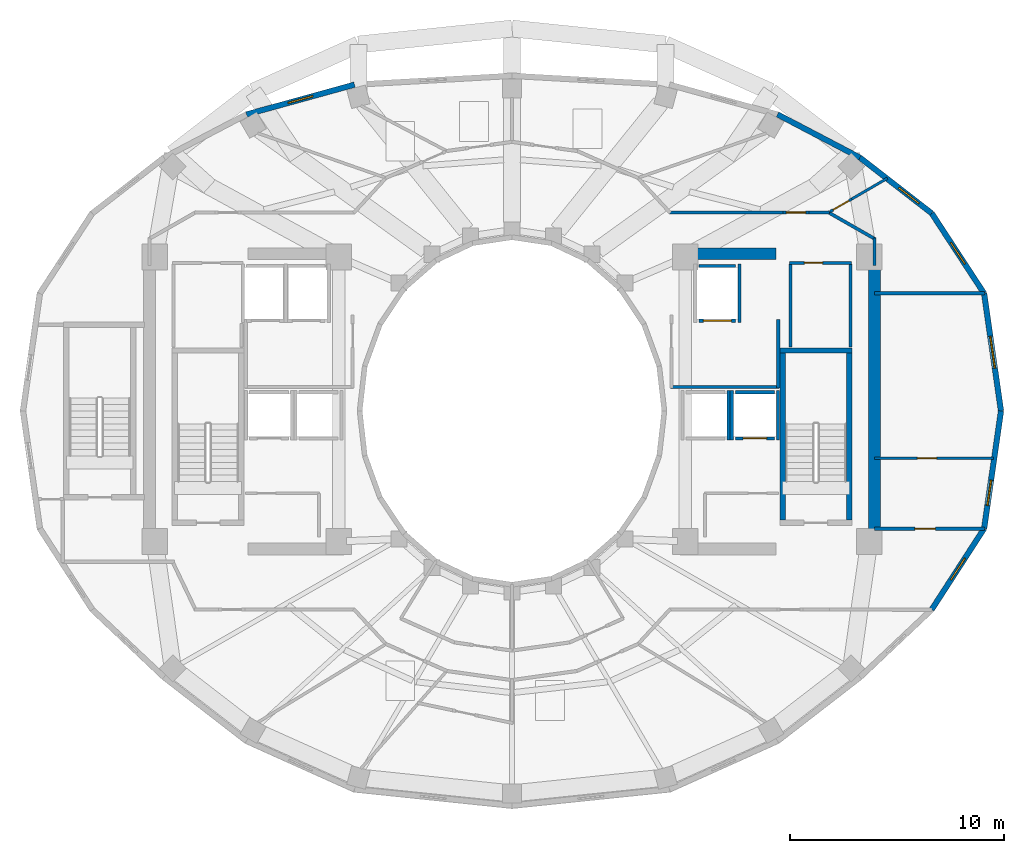
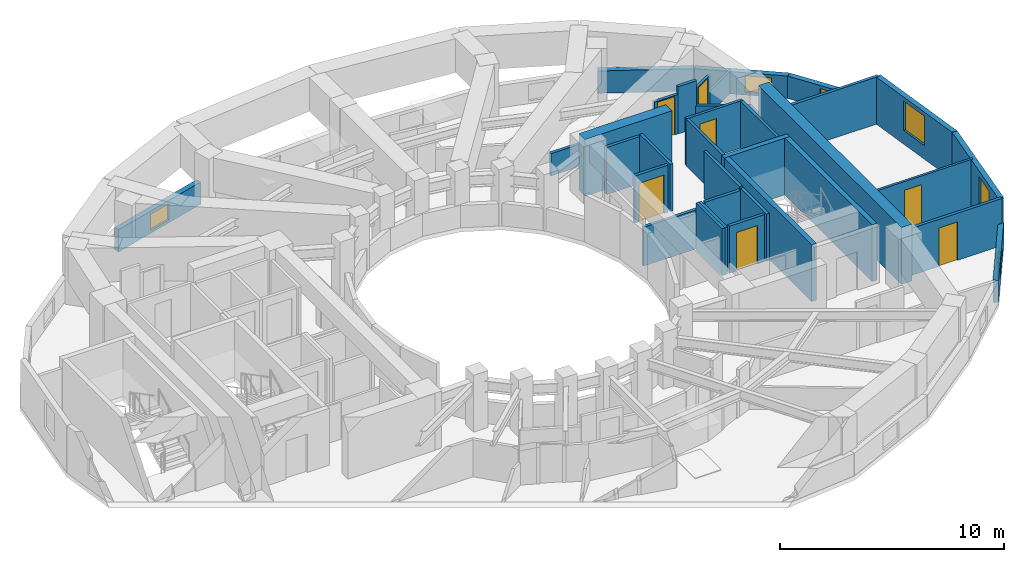
# One storey, part 6 of 9: 35 walls, 7 doors, 6 windows, 13 openings.
"""IFC4 building model written with IfcOpenShell, lengths in metres."""

from ifc_helpers import new_model, si_unit, direction, frame, frame_2d, origin, place, context, subcontext, project, spatial, rectangle, extrude, material, layer, layer_set, type_object, element, fill, save


model = new_model("IFC4")

# Units and contexts
model_context = context("Model", 3, precision=1e-05, world=origin(), true_north=direction((0.0, 1.0)))
body_context = subcontext(model_context, "Body", "Model", "MODEL_VIEW")
ifc_project = project(units=[si_unit("LENGTHUNIT", "METRE"), si_unit("AREAUNIT", "SQUARE_METRE"), si_unit("VOLUMEUNIT", "CUBIC_METRE"), si_unit("PLANEANGLEUNIT", "RADIAN"), si_unit("MASSUNIT", "GRAM", prefix="KILO")], contexts=[model_context])

# Site, building, storey
site_placement = place(None, origin())
site = spatial("IfcSite", under=ifc_project, at=site_placement, CompositionType="ELEMENT")
building_placement = place(site_placement, origin())
building = spatial("IfcBuilding", under=site, at=building_placement, Name="Solvane Sanctuary Tower", CompositionType="ELEMENT")
storey_placement = place(building_placement, frame((0.0, 0.0, 177.699951171875)))
storey = spatial("IfcBuildingStorey", under=building, at=storey_placement, Name="L54", CompositionType="ELEMENT", Elevation=177.699951171875)

# Walls
ifc_material_1 = material(Name="Concrete C50/60", Category="concrete")
ifc_layer_1 = layer(ifc_material_1, 0.550048828125, Name="Concrete C50/60")
ifc_layer_set_1 = layer_set([ifc_layer_1], Name="Concrete C50/60")
wall_type_1 = type_object("IfcWallType", Name="Wall W-CORE-550", PredefinedType="SHEAR", material=ifc_layer_set_1)
wall_1_placement = place(storey_placement, frame((48.949951171875, 17.050048828125, 0.0), z_axis=(0.0, 0.0, 1.0), x_axis=(0.0, 1.0, 0.0)))
element("IfcWall", 1, at=wall_1_placement, inside=storey, type_object=wall_type_1, Name="L54 Core Shear Wall EC-E", PredefinedType="SHEAR", context=body_context, shape_type="SweptSolid", body=[
    extrude(rectangle(XDim=12.800048828125, YDim=0.550048828125, at=frame_2d((6.39990234375, 0.0))), origin(), (0.0, 0.0, 1.0), 3.10009765625),
])
wall_2_placement = place(storey_placement, frame((39.85009765625, 30.35009765625, 0.0), z_axis=(0.0, 0.0, 1.0), x_axis=(1.0, 0.0, 0.0)))
element("IfcWall", 2, at=wall_2_placement, inside=storey, type_object=wall_type_1, Name="L54 Core Shear Wall EC-N", PredefinedType="SHEAR", context=body_context, shape_type="SweptSolid", body=[
    extrude(rectangle(XDim=4.5, YDim=0.550048828125, at=frame_2d((2.25, 0.0))), origin(), (0.0, 0.0, 1.0), 3.10009765625),
])
ifc_material_2 = material(Name="Acoustic Gypsum Partition Board")
ifc_layer_2 = layer(ifc_material_2, 0.14990234375, Name="Acoustic Gypsum Partition Board")
ifc_layer_set_2 = layer_set([ifc_layer_2], Name="Acoustic Gypsum Partition Board")
wall_type_2 = type_object("IfcWallType", Name="Wall W-CORR-150", PredefinedType="PARTITIONING", material=ifc_layer_set_2)
wall_3_placement = place(storey_placement, frame((39.39990234375, 24.1201171875, 0.0), z_axis=(0.0, 0.0, 1.0), x_axis=(1.0, 0.0, 0.0)))
element("IfcWall", 3, at=wall_3_placement, inside=storey, type_object=wall_type_2, Name="L54 East Firefighting Lobby South Wall", PredefinedType="PARTITIONING", context=body_context, shape_type="SweptSolid", body=[
    extrude(rectangle(XDim=5.080078125, YDim=0.14990234375, at=frame_2d((2.5400390625, 0.0))), origin(), (0.0, 0.0, 1.0), 2.1201171875),
])
wall_4_placement = place(storey_placement, frame((44.449951171875, 24.080078125, 0.0), z_axis=(0.0, 0.0, 1.0), x_axis=(0.0, 1.0, 0.0)))
element("IfcWall", 4, at=wall_4_placement, inside=storey, type_object=wall_type_2, Name="L54 East Firefighting Lobby East Wall", PredefinedType="PARTITIONING", context=body_context, shape_type="SweptSolid", body=[
    extrude(rectangle(XDim=3.199951171875, YDim=0.14990234375, at=frame_2d((1.60009765625, 0.0))), origin(), (0.0, 0.0, 1.0), 2.574951171875),
])

# Wall, opening, door
wall_5_placement = place(storey_placement, frame((48.949951171875, 17.4970703125, 0.0), z_axis=(0.0, 0.0, 1.0), x_axis=(1.0, 0.0, 0.0)))
wall_5 = element("IfcWall", 5, at=wall_5_placement, inside=storey, type_object=wall_type_2, Name="L54 East Shoulder South Wall", PredefinedType="PARTITIONING", context=body_context, shape_type="SweptSolid", body=[
    extrude(rectangle(XDim=5.14013671875, YDim=0.14990234375, at=frame_2d((2.570068359375, 0.0))), origin(), (0.0, 0.0, 1.0), 2.574951171875),
])
opening_1_placement = place(wall_5_placement, frame((1.888671875, 0.0, 0.0)))
opening_1 = element("IfcOpeningElement", 6, at=opening_1_placement, cuts=wall_5, Name="Opening D-L54-10", PredefinedType="OPENING", context=body_context, shape_type="SweptSolid", body=[
    extrude(rectangle(XDim=0.949951171875, YDim=2.10009765625, at=frame_2d((0.47509765625, 1.050048828125))), frame((0.0, 0.0849609375, 0.0), z_axis=(0.0, -1.0, 0.0), x_axis=(1.0, 0.0, 0.0)), (0.0, 0.0, 1.0), 0.169921875),
])
ifc_material_3 = material(Name="Engineered Tropical Hardwood", Category="wood")
door_type_1 = type_object("IfcDoorType", Name="Door D-ROOM-950", OperationType="NOTDEFINED", PredefinedType="DOOR", material=ifc_material_3)
door_1_placement = place(opening_1_placement, origin())
door_1 = element("IfcDoor", 7, at=door_1_placement, inside=storey, type_object=door_type_1, Name="L54 East Shoulder South Door", OperationType="SINGLE_SWING_RIGHT", OverallHeight=2.10009765625, OverallWidth=0.949951171875, PredefinedType="DOOR", context=body_context, shape_type="SweptSolid", body=[
    extrude(rectangle(XDim=0.949951171875, YDim=2.10009765625, at=frame_2d((0.47509765625, 1.050048828125))), frame((0.0, 0.02490234375, 0.0), z_axis=(0.0, -1.0, 0.0), x_axis=(1.0, 0.0, 0.0)), (0.0, 0.0, 1.0), 0.050048828125),
])
fill(opening_1, door_1)

# Walls
wall_6_placement = place(storey_placement, frame((48.949951171875, 28.5029296875, 0.0), z_axis=(0.0, 0.0, 1.0), x_axis=(1.0, 0.0, 0.0)))
element("IfcWall", 8, at=wall_6_placement, inside=storey, type_object=wall_type_2, Name="L54 East Shoulder North Wall", PredefinedType="PARTITIONING", context=body_context, shape_type="SweptSolid", body=[
    extrude(rectangle(XDim=5.14013671875, YDim=0.14990234375, at=frame_2d((2.570068359375, 0.0))), origin(), (0.0, 0.0, 1.0), 2.574951171875),
])
wall_7_placement = place(storey_placement, frame((48.949951171875, 29.800048828125, 0.0), z_axis=(0.0, 0.0, 1.0), x_axis=(0.0, 1.0, 0.0)))
element("IfcWall", 9, at=wall_7_placement, inside=storey, type_object=wall_type_2, Name="L54 NE Corner Closer 1", PredefinedType="PARTITIONING", context=body_context, shape_type="SweptSolid", body=[
    extrude(rectangle(XDim=1.2900390625, YDim=0.14990234375, at=frame_2d((0.64501953125, 0.0))), origin(), (0.0, 0.0, 1.0), 1.219970703125),
])
wall_8_placement = place(storey_placement, frame((39.330078125, 32.280029296875, 0.0), z_axis=(0.0, 0.0, 1.0), x_axis=(1.0, 0.0, 0.0)))
element("IfcWall", 10, at=wall_8_placement, inside=storey, type_object=wall_type_2, Name="L54 NE Corner Corridor Wall", PredefinedType="PARTITIONING", context=body_context, shape_type="SweptSolid", body=[
    extrude(rectangle(XDim=5.335693359375, YDim=0.14990234375, at=frame_2d((2.66796875, 0.0))), origin(), (0.0, 0.0, 1.0), 1.219970703125),
])

# Wall, opening, door
wall_9_placement = place(storey_placement, frame((44.665771484375, 32.280029296875, 0.0), z_axis=(0.0, 0.0, 1.0), x_axis=(1.0, 0.0, 0.0)))
wall_9 = element("IfcWall", 11, at=wall_9_placement, inside=storey, type_object=wall_type_2, Name="L54 NE Corner Corridor Wall", PredefinedType="PARTITIONING", context=body_context, shape_type="SweptSolid", body=[
    extrude(rectangle(XDim=1.219970703125, YDim=0.14990234375, at=frame_2d((0.60986328125, 0.0))), origin(), (0.0, 0.0, 1.0), 2.16015625),
])
opening_2_placement = place(wall_9_placement, frame((0.159912109375, 0.0, 0.0)))
opening_2 = element("IfcOpeningElement", 12, at=opening_2_placement, cuts=wall_9, Name="Opening D-L54-13", PredefinedType="OPENING", context=body_context, shape_type="SweptSolid", body=[
    extrude(rectangle(XDim=0.89990234375, YDim=2.10009765625, at=frame_2d((0.449951171875, 1.050048828125))), frame((0.0, 0.0849609375, 0.0), z_axis=(0.0, -1.0, 0.0), x_axis=(1.0, 0.0, 0.0)), (0.0, 0.0, 1.0), 0.169921875),
])
door_type_2 = type_object("IfcDoorType", Name="Door D-WET-900", OperationType="NOTDEFINED", PredefinedType="DOOR", material=ifc_material_3)
door_2_placement = place(opening_2_placement, origin())
door_2 = element("IfcDoor", 13, at=door_2_placement, inside=storey, type_object=door_type_2, Name="L54 NE Corner Salon Door", OperationType="SINGLE_SWING_LEFT", OverallHeight=2.10009765625, OverallWidth=0.89990234375, PredefinedType="DOOR", context=body_context, shape_type="SweptSolid", body=[
    extrude(rectangle(XDim=0.89990234375, YDim=2.10009765625, at=frame_2d((0.449951171875, 1.050048828125))), frame((0.0, 0.02490234375, 0.0), z_axis=(0.0, -1.0, 0.0), x_axis=(1.0, 0.0, 0.0)), (0.0, 0.0, 1.0), 0.050048828125),
])
fill(opening_2, door_2)

# Walls
wall_10_placement = place(storey_placement, frame((45.8857421875, 32.280029296875, 0.0), z_axis=(0.0, 0.0, 1.0), x_axis=(1.0, 0.0, 0.0)))
element("IfcWall", 14, at=wall_10_placement, inside=storey, type_object=wall_type_2, Name="L54 NE Corner Corridor Wall", PredefinedType="PARTITIONING", context=body_context, shape_type="SweptSolid", body=[
    extrude(rectangle(XDim=0.96435546875, YDim=0.14990234375, at=frame_2d((0.482177734375, 0.0))), origin(), (0.0, 0.0, 1.0), 2.574951171875),
])
wall_11_placement = place(storey_placement, frame((46.756591796875, 32.3046875, 0.0), z_axis=(0.0, 0.0, 1.0), x_axis=(0.867991349648, -0.496579315857, 0.0)))
element("IfcWall", 15, at=wall_11_placement, inside=storey, type_object=wall_type_2, Name="L54 NE Corner Wing Wall", PredefinedType="PARTITIONING", context=body_context, shape_type="SweptSolid", body=[
    extrude(rectangle(XDim=2.56689453125, YDim=0.14990234375, at=frame_2d((1.283447265625, 0.0))), origin(), (0.0, 0.0, 1.0), 1.219970703125),
])

# Wall, opening, window
ifc_material_4 = material(Name="Precast concrete C40/50", Category="concrete")
ifc_layer_3 = layer(ifc_material_4, 0.260009765625, Name="Precast concrete C40/50")
ifc_layer_set_3 = layer_set([ifc_layer_3], Name="Precast concrete C40/50")
wall_type_3 = type_object("IfcWallType", Name="Wall W-EXT-250", PredefinedType="STANDARD", material=ifc_layer_set_3)
wall_12_placement = place(storey_placement, frame((54.860107421875, 23.0, 0.0), z_axis=(0.0, 0.0, 1.0), x_axis=(-0.142227632286, 0.989833976288, 0.0)))
wall_12 = element("IfcWall", 16, at=wall_12_placement, inside=storey, type_object=wall_type_3, Name="L54 Ceramic-Printed Facade Wall 00", PredefinedType="STANDARD", context=body_context, shape_type="SweptSolid", body=[
    extrude(rectangle(XDim=5.552978515625, YDim=0.260009765625, at=frame_2d((2.7763671875, 0.0))), origin(), (0.0, 0.0, 1.0), 2.570068359375),
])
opening_3_placement = place(wall_12_placement, frame((2.026611328125, 0.0, 0.75)))
opening_3 = element("IfcOpeningElement", 17, at=opening_3_placement, cuts=wall_12, Name="Opening WN-OPER-1500", PredefinedType="OPENING", context=body_context, shape_type="SweptSolid", body=[
    extrude(rectangle(XDim=1.5, YDim=1.60009765625, at=frame_2d((0.75, 0.800048828125))), frame((0.0, 0.139892578125, 0.0), z_axis=(0.0, -1.0, 0.0), x_axis=(1.0, 0.0, 0.0)), (0.0, 0.0, 1.0), 0.280029296875),
])
ifc_material_5 = material(Name="Dark Ceramic-Fritted Low-E Glass", Category="glass")
window_type_1 = type_object("IfcWindowType", Name="Window WN-OPER-1500", PartitioningType="SINGLE_PANEL", PredefinedType="WINDOW", material=ifc_material_5)
window_1_placement = place(opening_3_placement, origin())
window_1 = element("IfcWindow", 18, at=window_1_placement, inside=storey, type_object=window_type_1, Name="L54 Operable Facade Window 00", OverallHeight=1.60009765625, OverallWidth=1.5, PartitioningType="SINGLE_PANEL", PredefinedType="WINDOW", context=body_context, shape_type="SweptSolid", body=[
    extrude(rectangle(XDim=1.5, YDim=1.60009765625, at=frame_2d((0.75, 0.800048828125))), frame((0.0, 0.030029296875, 0.0), z_axis=(0.0, -1.0, 0.0), x_axis=(1.0, 0.0, 0.0)), (0.0, 0.0, 1.0), 0.06005859375),
])
fill(opening_3, window_1)

wall_13_placement = place(storey_placement, frame((54.0703125, 28.49658203125, 0.0), z_axis=(0.0, 0.0, 1.0), x_axis=(-0.547456494366, 0.836834145322, 0.0)))
wall_13 = element("IfcWall", 19, at=wall_13_placement, inside=storey, type_object=wall_type_3, Name="L54 Ceramic-Printed Facade Wall 01", PredefinedType="STANDARD", context=body_context, shape_type="SweptSolid", body=[
    extrude(rectangle(XDim=4.477294921875, YDim=0.260009765625, at=frame_2d((2.23876953125, 0.0))), origin(), (0.0, 0.0, 1.0), 1.219970703125),
])
opening_4_placement = place(wall_13_placement, frame((1.638671875, 0.0, 0.14990234375)))
opening_4 = element("IfcOpeningElement", 20, at=opening_4_placement, cuts=wall_13, Name="Opening WN-OPER-1200", PredefinedType="OPENING", context=body_context, shape_type="SweptSolid", body=[
    extrude(rectangle(XDim=1.199951171875, YDim=0.89990234375, at=frame_2d((0.60009765625, 0.449951171875))), frame((0.0, 0.139892578125, 0.0), z_axis=(0.0, -1.0, 0.0), x_axis=(1.0, 0.0, 0.0)), (0.0, 0.0, 1.0), 0.280029296875),
])
window_type_2 = type_object("IfcWindowType", Name="Window WN-OPER-1200", PartitioningType="SINGLE_PANEL", PredefinedType="WINDOW", material=ifc_material_5)
window_2_placement = place(opening_4_placement, origin())
window_2 = element("IfcWindow", 21, at=window_2_placement, inside=storey, type_object=window_type_2, Name="L54 Operable Facade Window 01", OverallHeight=0.89990234375, OverallWidth=1.199951171875, PartitioningType="SINGLE_PANEL", PredefinedType="WINDOW", context=body_context, shape_type="SweptSolid", body=[
    extrude(rectangle(XDim=1.199951171875, YDim=0.89990234375, at=frame_2d((0.60009765625, 0.449951171875))), frame((0.0, 0.030029296875, 0.0), z_axis=(0.0, -1.0, 0.0), x_axis=(1.0, 0.0, 0.0)), (0.0, 0.0, 1.0), 0.06005859375),
])
fill(opening_4, window_2)

wall_14_placement = place(storey_placement, frame((51.619140625, 32.243408203125, 0.0), z_axis=(0.0, 0.0, 1.0), x_axis=(-0.790185650662, 0.612867552973, 0.0)))
wall_14 = element("IfcWall", 22, at=wall_14_placement, inside=storey, type_object=wall_type_3, Name="L54 Ceramic-Printed Facade Wall 02", PredefinedType="STANDARD", context=body_context, shape_type="SweptSolid", body=[
    extrude(rectangle(XDim=4.2392578125, YDim=0.260009765625, at=frame_2d((2.11962890625, 0.0))), origin(), (0.0, 0.0, 1.0), 1.219970703125),
])
opening_5_placement = place(wall_14_placement, frame((0.748779296875, 0.0, 0.14990234375)))
opening_5 = element("IfcOpeningElement", 23, at=opening_5_placement, cuts=wall_14, Name="Opening WN-OPER-1200", PredefinedType="OPENING", context=body_context, shape_type="SweptSolid", body=[
    extrude(rectangle(XDim=1.199951171875, YDim=0.89990234375, at=frame_2d((0.60009765625, 0.449951171875))), frame((0.0, 0.139892578125, 0.0), z_axis=(0.0, -1.0, 0.0), x_axis=(1.0, 0.0, 0.0)), (0.0, 0.0, 1.0), 0.280029296875),
])
window_3_placement = place(opening_5_placement, origin())
window_3 = element("IfcWindow", 24, at=window_3_placement, inside=storey, type_object=window_type_2, Name="L54 Operable Facade Window 02", OverallHeight=0.89990234375, OverallWidth=1.199951171875, PartitioningType="SINGLE_PANEL", PredefinedType="WINDOW", context=body_context, shape_type="SweptSolid", body=[
    extrude(rectangle(XDim=1.199951171875, YDim=0.89990234375, at=frame_2d((0.60009765625, 0.449951171875))), frame((0.0, 0.030029296875, 0.0), z_axis=(0.0, -1.0, 0.0), x_axis=(1.0, 0.0, 0.0)), (0.0, 0.0, 1.0), 0.06005859375),
])
fill(opening_5, window_3)

# Wall
wall_15_placement = place(storey_placement, frame((48.269287109375, 34.841552734375, 0.0), z_axis=(0.0, 0.0, 1.0), x_axis=(-0.885660265226, 0.464333818065, 0.0)))
element("IfcWall", 25, at=wall_15_placement, inside=storey, type_object=wall_type_3, Name="L54 Ceramic-Printed Facade Wall 03", PredefinedType="STANDARD", context=body_context, shape_type="SweptSolid", body=[
    extrude(rectangle(XDim=4.35400390625, YDim=0.260009765625, at=frame_2d((2.177001953125, 0.0))), origin(), (0.0, 0.0, 1.0), 1.219970703125),
])

# Wall, opening, window
wall_16_placement = place(storey_placement, frame((24.634765625, 38.256591796875, 0.0), z_axis=(0.0, 0.0, 1.0), x_axis=(-0.963953455704, -0.26607092144, 0.0)))
wall_16 = element("IfcWall", 26, at=wall_16_placement, inside=storey, type_object=wall_type_3, Name="L54 Ceramic-Printed Facade Wall 07", PredefinedType="STANDARD", context=body_context, shape_type="SweptSolid", body=[
    extrude(rectangle(XDim=5.236572265625, YDim=0.260009765625, at=frame_2d((2.6181640625, 0.0))), origin(), (0.0, 0.0, 1.0), 1.219970703125),
])
opening_6_placement = place(wall_16_placement, frame((2.018310546875, 0.0, 0.14990234375)))
opening_6 = element("IfcOpeningElement", 27, at=opening_6_placement, cuts=wall_16, Name="Opening WN-OPER-1200", PredefinedType="OPENING", context=body_context, shape_type="SweptSolid", body=[
    extrude(rectangle(XDim=1.199951171875, YDim=0.89990234375, at=frame_2d((0.60009765625, 0.449951171875))), frame((0.0, 0.139892578125, 0.0), z_axis=(0.0, -1.0, 0.0), x_axis=(1.0, 0.0, 0.0)), (0.0, 0.0, 1.0), 0.280029296875),
])
window_4_placement = place(opening_6_placement, origin())
window_4 = element("IfcWindow", 28, at=window_4_placement, inside=storey, type_object=window_type_2, Name="L54 Operable Facade Window 07", OverallHeight=0.89990234375, OverallWidth=1.199951171875, PartitioningType="SINGLE_PANEL", PredefinedType="WINDOW", context=body_context, shape_type="SweptSolid", body=[
    extrude(rectangle(XDim=1.199951171875, YDim=0.89990234375, at=frame_2d((0.60009765625, 0.449951171875))), frame((0.0, 0.030029296875, 0.0), z_axis=(0.0, -1.0, 0.0), x_axis=(1.0, 0.0, 0.0)), (0.0, 0.0, 1.0), 0.06005859375),
])
fill(opening_6, window_4)

wall_17_placement = place(storey_placement, frame((51.619140625, 13.71630859375, 0.0), z_axis=(0.0, 0.0, 1.0), x_axis=(0.543358984534, 0.839500454989, 0.0)))
wall_17 = element("IfcWall", 29, at=wall_17_placement, inside=storey, type_object=wall_type_3, Name="L54 Ceramic-Printed Facade Wall 22", PredefinedType="STANDARD", context=body_context, shape_type="SweptSolid", body=[
    extrude(rectangle(XDim=4.51123046875, YDim=0.260009765625, at=frame_2d((2.255615234375, 0.0))), origin(), (0.0, 0.0, 1.0), 1.219970703125),
])
opening_7_placement = place(wall_17_placement, frame((1.655517578125, 0.0, 0.14990234375)))
opening_7 = element("IfcOpeningElement", 30, at=opening_7_placement, cuts=wall_17, Name="Opening WN-OPER-1200", PredefinedType="OPENING", context=body_context, shape_type="SweptSolid", body=[
    extrude(rectangle(XDim=1.199951171875, YDim=0.89990234375, at=frame_2d((0.60009765625, 0.449951171875))), frame((0.0, 0.139892578125, 0.0), z_axis=(0.0, -1.0, 0.0), x_axis=(1.0, 0.0, 0.0)), (0.0, 0.0, 1.0), 0.280029296875),
])
window_5_placement = place(opening_7_placement, origin())
window_5 = element("IfcWindow", 31, at=window_5_placement, inside=storey, type_object=window_type_2, Name="L54 Operable Facade Window 22", OverallHeight=0.89990234375, OverallWidth=1.199951171875, PartitioningType="SINGLE_PANEL", PredefinedType="WINDOW", context=body_context, shape_type="SweptSolid", body=[
    extrude(rectangle(XDim=1.199951171875, YDim=0.89990234375, at=frame_2d((0.60009765625, 0.449951171875))), frame((0.0, 0.030029296875, 0.0), z_axis=(0.0, -1.0, 0.0), x_axis=(1.0, 0.0, 0.0)), (0.0, 0.0, 1.0), 0.06005859375),
])
fill(opening_7, window_5)

wall_18_placement = place(storey_placement, frame((54.0703125, 17.50341796875, 0.0), z_axis=(0.0, 0.0, 1.0), x_axis=(0.142227632286, 0.989833976288, 0.0)))
wall_18 = element("IfcWall", 32, at=wall_18_placement, inside=storey, type_object=wall_type_3, Name="L54 Ceramic-Printed Facade Wall 23", PredefinedType="STANDARD", context=body_context, shape_type="SweptSolid", body=[
    extrude(rectangle(XDim=5.552978515625, YDim=0.260009765625, at=frame_2d((2.7763671875, 0.0))), origin(), (0.0, 0.0, 1.0), 2.570068359375),
])
opening_8_placement = place(wall_18_placement, frame((1.090087890625, 0.0, 0.75)))
opening_8 = element("IfcOpeningElement", 33, at=opening_8_placement, cuts=wall_18, Name="Opening WN-OPER-1200", PredefinedType="OPENING", context=body_context, shape_type="SweptSolid", body=[
    extrude(rectangle(XDim=1.199951171875, YDim=1.5, at=frame_2d((0.60009765625, 0.75))), frame((0.0, 0.139892578125, 0.0), z_axis=(0.0, -1.0, 0.0), x_axis=(1.0, 0.0, 0.0)), (0.0, 0.0, 1.0), 0.280029296875),
])
window_6_placement = place(opening_8_placement, origin())
window_6 = element("IfcWindow", 34, at=window_6_placement, inside=storey, type_object=window_type_2, Name="L54 Operable Facade Window 23", OverallHeight=1.5, OverallWidth=1.199951171875, PartitioningType="SINGLE_PANEL", PredefinedType="WINDOW", context=body_context, shape_type="SweptSolid", body=[
    extrude(rectangle(XDim=1.199951171875, YDim=1.5, at=frame_2d((0.60009765625, 0.75))), frame((0.0, 0.030029296875, 0.0), z_axis=(0.0, -1.0, 0.0), x_axis=(1.0, 0.0, 0.0)), (0.0, 0.0, 1.0), 0.06005859375),
])
fill(opening_8, window_6)

# Wall, opening, door
ifc_layer_4 = layer(ifc_material_2, 0.1201171875, Name="Acoustic Gypsum Partition Board")
ifc_layer_set_4 = layer_set([ifc_layer_4], Name="Acoustic Gypsum Partition Board")
wall_type_4 = type_object("IfcWallType", Name="Wall W-MOV-100", PredefinedType="MOVABLE", material=ifc_layer_set_4)
wall_19_placement = place(storey_placement, frame((48.949951171875, 20.800048828125, 0.0), z_axis=(0.0, 0.0, 1.0), x_axis=(1.0, 0.0, 0.0)))
wall_19 = element("IfcWall", 35, at=wall_19_placement, inside=storey, type_object=wall_type_4, Name="L54 East Suite Partition", PredefinedType="MOVABLE", context=body_context, shape_type="SweptSolid", body=[
    extrude(rectangle(XDim=5.55419921875, YDim=0.1201171875, at=frame_2d((2.777099609375, 0.0))), origin(), (0.0, 0.0, 1.0), 2.574951171875),
])
opening_9_placement = place(wall_19_placement, frame((2.0, 0.0, 0.0)))
opening_9 = element("IfcOpeningElement", 36, at=opening_9_placement, cuts=wall_19, Name="Opening D-L54-11", PredefinedType="OPENING", context=body_context, shape_type="SweptSolid", body=[
    extrude(rectangle(XDim=0.89990234375, YDim=2.10009765625, at=frame_2d((0.449951171875, 1.050048828125))), frame((0.0, 0.070068359375, 0.0), z_axis=(0.0, -1.0, 0.0), x_axis=(1.0, 0.0, 0.0)), (0.0, 0.0, 1.0), 0.14013671875),
])
door_3_placement = place(opening_9_placement, origin())
door_3 = element("IfcDoor", 37, at=door_3_placement, inside=storey, type_object=door_type_2, Name="L54 East Suite Internal Door", OperationType="SINGLE_SWING_LEFT", OverallHeight=2.10009765625, OverallWidth=0.89990234375, PredefinedType="DOOR", context=body_context, shape_type="SweptSolid", body=[
    extrude(rectangle(XDim=0.89990234375, YDim=2.10009765625, at=frame_2d((0.449951171875, 1.050048828125))), frame((0.0, 0.02490234375, 0.0), z_axis=(0.0, -1.0, 0.0), x_axis=(1.0, 0.0, 0.0)), (0.0, 0.0, 1.0), 0.050048828125),
])
fill(opening_9, door_3)

wall_20_placement = place(storey_placement, frame((46.872314453125, 32.322021484375, 0.0), z_axis=(0.0, 0.0, 1.0), x_axis=(0.864338442283, 0.502910585683, 0.0)))
wall_20 = element("IfcWall", 38, at=wall_20_placement, inside=storey, type_object=wall_type_4, Name="L54 NE Corner Suite Partition", PredefinedType="MOVABLE", context=body_context, shape_type="SweptSolid", body=[
    extrude(rectangle(XDim=1.169921875, YDim=0.1201171875, at=frame_2d((0.5849609375, 0.0))), origin(), (0.0, 0.0, 1.0), 2.110107421875),
])
opening_10_placement = place(wall_20_placement, frame((0.159912109375, 0.0, 0.0)))
opening_10 = element("IfcOpeningElement", 39, at=opening_10_placement, cuts=wall_20, Name="Opening D-L54-12", PredefinedType="OPENING", context=body_context, shape_type="SweptSolid", body=[
    extrude(rectangle(XDim=0.85009765625, YDim=2.050048828125, at=frame_2d((0.425048828125, 1.02490234375))), frame((0.0, 0.070068359375, 0.0), z_axis=(0.0, -1.0, 0.0), x_axis=(1.0, 0.0, 0.0)), (0.0, 0.0, 1.0), 0.14013671875),
])
ifc_material_6 = material(Name="Architectural Stainless Steel 316", Category="steel")
door_type_3 = type_object("IfcDoorType", Name="Door D-RISER", OperationType="NOTDEFINED", PredefinedType="DOOR", material=ifc_material_6)
door_4_placement = place(opening_10_placement, origin())
door_4 = element("IfcDoor", 40, at=door_4_placement, inside=storey, type_object=door_type_3, Name="L54 NE Corner Suite Door", OperationType="SINGLE_SWING_RIGHT", OverallHeight=2.050048828125, OverallWidth=0.85009765625, PredefinedType="DOOR", context=body_context, shape_type="SweptSolid", body=[
    extrude(rectangle(XDim=0.85009765625, YDim=2.050048828125, at=frame_2d((0.425048828125, 1.02490234375))), frame((0.0, 0.02490234375, 0.0), z_axis=(0.0, -1.0, 0.0), x_axis=(1.0, 0.0, 0.0)), (0.0, 0.0, 1.0), 0.050048828125),
])
fill(opening_10, door_4)

# Wall
wall_21_placement = place(storey_placement, frame((47.883544921875, 32.910400390625, 0.0), z_axis=(0.0, 0.0, 1.0), x_axis=(0.864444446654, 0.50272835473, 0.0)))
element("IfcWall", 41, at=wall_21_placement, inside=storey, type_object=wall_type_4, Name="L54 NE Corner Suite Partition", PredefinedType="MOVABLE", context=body_context, shape_type="SweptSolid", body=[
    extrude(rectangle(XDim=1.927001953125, YDim=0.1201171875, at=frame_2d((0.96337890625, 0.0))), origin(), (0.0, 0.0, 1.0), 1.219970703125),
])

# Wall, opening, door
ifc_layer_5 = layer(ifc_material_1, 0.14990234375, Name="Concrete C50/60")
ifc_layer_set_5 = layer_set([ifc_layer_5], Name="Concrete C50/60")
wall_type_5 = type_object("IfcWallType", Name="Wall W-SHAFT-150", PredefinedType="SOLIDWALL", material=ifc_layer_set_5)
wall_22_placement = place(storey_placement, frame((42.43994140625, 21.719970703125, 0.0), z_axis=(0.0, 0.0, 1.0), x_axis=(1.0, 0.0, 0.0)))
wall_22 = element("IfcWall", 42, at=wall_22_placement, inside=storey, type_object=wall_type_5, Name="L54 PM-2 Lift Shaft Wall F", PredefinedType="SOLIDWALL", context=body_context, shape_type="SweptSolid", body=[
    extrude(rectangle(XDim=1.820068359375, YDim=0.14990234375, at=frame_2d((0.91015625, 0.0))), origin(), (0.0, 0.0, 1.0), 2.574951171875),
])
opening_11_placement = place(wall_22_placement, frame((0.360107421875, 0.0, 0.0)))
opening_11 = element("IfcOpeningElement", 43, at=opening_11_placement, cuts=wall_22, Name="Opening LD-L54-02", PredefinedType="OPENING", context=body_context, shape_type="SweptSolid", body=[
    extrude(rectangle(XDim=1.10009765625, YDim=2.10009765625, at=frame_2d((0.550048828125, 1.050048828125))), frame((0.0, 0.0849609375, 0.0), z_axis=(0.0, -1.0, 0.0), x_axis=(1.0, 0.0, 0.0)), (0.0, 0.0, 1.0), 0.169921875),
])
door_type_4 = type_object("IfcDoorType", Name="Door LD-PASS-1100", OperationType="NOTDEFINED", PredefinedType="DOOR", material=ifc_material_6)
door_5_placement = place(opening_11_placement, origin())
door_5 = element("IfcDoor", 44, at=door_5_placement, inside=storey, type_object=door_type_4, Name="L54 PM-2 Lift Landing Door", OperationType="DOUBLE_DOOR_SLIDING", OverallHeight=2.10009765625, OverallWidth=1.10009765625, PredefinedType="DOOR", context=body_context, shape_type="SweptSolid", body=[
    extrude(rectangle(XDim=1.10009765625, YDim=2.10009765625, at=frame_2d((0.550048828125, 1.050048828125))), frame((0.0, 0.02490234375, 0.0), z_axis=(0.0, -1.0, 0.0), x_axis=(1.0, 0.0, 0.0)), (0.0, 0.0, 1.0), 0.050048828125),
])
fill(opening_11, door_5)

# Walls
wall_23_placement = place(storey_placement, frame((42.43994140625, 23.8798828125, 0.0), z_axis=(0.0, 0.0, 1.0), x_axis=(1.0, 0.0, 0.0)))
element("IfcWall", 45, at=wall_23_placement, inside=storey, type_object=wall_type_5, Name="L54 PM-2 Lift Shaft Wall B", PredefinedType="SOLIDWALL", context=body_context, shape_type="SweptSolid", body=[
    extrude(rectangle(XDim=1.820068359375, YDim=0.14990234375, at=frame_2d((0.91015625, 0.0))), origin(), (0.0, 0.0, 1.0), 2.574951171875),
])
for number, where, z_axis, x_axis, name in (
    (46, (42.27001953125, 21.639892578125, 0.0), (0.0, 0.0, 1.0), (0.0, 1.0, 0.0), "L54 PM-2 Lift Shaft Wall S1"),
    (47, (44.429931640625, 21.639892578125, 0.0), (0.0, 0.0, 1.0), (0.0, 1.0, 0.0), "L54 PM-2 Lift Shaft Wall S2"),
    (48, (42.1298828125, 21.639892578125, 0.0), (0.0, 0.0, 1.0), (0.0, 1.0, 0.0), "L54 PH-2 Lift Shaft Wall S2"),
):
    element("IfcWall", number, at=place(storey_placement, frame(where, z_axis=z_axis, x_axis=x_axis)), inside=storey, type_object=wall_type_5, Name=name, PredefinedType="SOLIDWALL", context=body_context, shape_type="SweptSolid", body=[
        extrude(rectangle(XDim=2.320068359375, YDim=0.14990234375, at=frame_2d((1.16015625, 0.0))), origin(), (0.0, 0.0, 1.0), 2.574951171875),
    ])

# Wall, opening, door
wall_24_placement = place(storey_placement, frame((40.739990234375, 27.219970703125, 0.0), z_axis=(0.0, 0.0, 1.0), x_axis=(1.0, 0.0, 0.0)))
wall_24 = element("IfcWall", 49, at=wall_24_placement, inside=storey, type_object=wall_type_5, Name="L54 FFL-2 Lift Shaft Wall F", PredefinedType="SOLIDWALL", context=body_context, shape_type="SweptSolid", body=[
    extrude(rectangle(XDim=1.719970703125, YDim=0.14990234375, at=frame_2d((0.85986328125, 0.0))), origin(), (0.0, 0.0, 1.0), 2.574951171875),
])
opening_12_placement = place(wall_24_placement, frame((0.2099609375, 0.0, 0.0)))
opening_12 = element("IfcOpeningElement", 50, at=opening_12_placement, cuts=wall_24, Name="Opening LD-L54-05", PredefinedType="OPENING", context=body_context, shape_type="SweptSolid", body=[
    extrude(rectangle(XDim=1.300048828125, YDim=2.10009765625, at=frame_2d((0.64990234375, 1.050048828125))), frame((0.0, 0.0849609375, 0.0), z_axis=(0.0, -1.0, 0.0), x_axis=(1.0, 0.0, 0.0)), (0.0, 0.0, 1.0), 0.169921875),
])
door_type_5 = type_object("IfcDoorType", Name="Door LD-FFL-1300", OperationType="NOTDEFINED", PredefinedType="DOOR", material=ifc_material_6)
door_6_placement = place(opening_12_placement, origin())
door_6 = element("IfcDoor", 51, at=door_6_placement, inside=storey, type_object=door_type_5, Name="L54 FFL-2 Lift Landing Door", OperationType="DOUBLE_DOOR_SLIDING", OverallHeight=2.10009765625, OverallWidth=1.300048828125, PredefinedType="DOOR", context=body_context, shape_type="SweptSolid", body=[
    extrude(rectangle(XDim=1.300048828125, YDim=2.10009765625, at=frame_2d((0.64990234375, 1.050048828125))), frame((0.0, 0.02490234375, 0.0), z_axis=(0.0, -1.0, 0.0), x_axis=(1.0, 0.0, 0.0)), (0.0, 0.0, 1.0), 0.050048828125),
])
fill(opening_12, door_6)

# Walls
wall_25_placement = place(storey_placement, frame((40.739990234375, 29.780029296875, 0.0), z_axis=(0.0, 0.0, 1.0), x_axis=(1.0, 0.0, 0.0)))
element("IfcWall", 52, at=wall_25_placement, inside=storey, type_object=wall_type_5, Name="L54 FFL-2 Lift Shaft Wall B", PredefinedType="SOLIDWALL", context=body_context, shape_type="SweptSolid", body=[
    extrude(rectangle(XDim=1.719970703125, YDim=0.14990234375, at=frame_2d((0.85986328125, 0.0))), origin(), (0.0, 0.0, 1.0), 2.574951171875),
])
wall_26_placement = place(storey_placement, frame((42.6298828125, 27.139892578125, 0.0), z_axis=(0.0, 0.0, 1.0), x_axis=(0.0, 1.0, 0.0)))
element("IfcWall", 53, at=wall_26_placement, inside=storey, type_object=wall_type_5, Name="L54 FFL-2 Lift Shaft Wall S2", PredefinedType="SOLIDWALL", context=body_context, shape_type="SweptSolid", body=[
    extrude(rectangle(XDim=2.72021484375, YDim=0.14990234375, at=frame_2d((1.360107421875, 0.0))), origin(), (0.0, 0.0, 1.0), 2.574951171875),
])
ifc_layer_6 = layer(ifc_material_1, 0.25, Name="Concrete C50/60")
ifc_layer_set_6 = layer_set([ifc_layer_6], Name="Concrete C50/60")
wall_type_6 = type_object("IfcWallType", Name="Wall W-SHAFT-250", PredefinedType="SOLIDWALL", material=ifc_layer_set_6)
wall_27_placement = place(storey_placement, frame((44.52490234375, 25.830078125, 0.0), z_axis=(0.0, 0.0, 1.0), x_axis=(1.0, 0.0, 0.0)))
element("IfcWall", 54, at=wall_27_placement, inside=storey, type_object=wall_type_6, Name="L54 ST-2 Load-Bearing Shaft Wall N", PredefinedType="SOLIDWALL", context=body_context, shape_type="SweptSolid", body=[
    extrude(rectangle(XDim=3.3701171875, YDim=0.25, at=frame_2d((1.68505859375, 0.0))), origin(), (0.0, 0.0, 1.0), 3.10009765625),
])
for number, where, z_axis, x_axis, name in (
    (55, (44.64990234375, 17.89501953125, 0.0), (0.0, 0.0, 1.0), (0.0, 1.0, 0.0), "L54 ST-2 Load-Bearing Shaft Wall W"),
    (56, (47.77001953125, 17.89501953125, 0.0), (0.0, 0.0, 1.0), (0.0, 1.0, 0.0), "L54 ST-2 Load-Bearing Shaft Wall E"),
):
    element("IfcWall", number, at=place(storey_placement, frame(where, z_axis=z_axis, x_axis=x_axis)), inside=storey, type_object=wall_type_6, Name=name, PredefinedType="SOLIDWALL", context=body_context, shape_type="SweptSolid", body=[
        extrude(rectangle(XDim=7.81005859375, YDim=0.25, at=frame_2d((3.905029296875, 0.0))), origin(), (0.0, 0.0, 1.0), 3.10009765625),
    ])

# Wall, opening, door
ifc_layer_7 = layer(ifc_material_2, 0.139892578125, Name="Acoustic Gypsum Partition Board")
ifc_layer_set_7 = layer_set([ifc_layer_7], Name="Acoustic Gypsum Partition Board")
wall_type_7 = type_object("IfcWallType", Name="Wall W-WET-140", PredefinedType="PLUMBINGWALL", material=ifc_layer_set_7)
wall_28_placement = place(storey_placement, frame((44.97998046875, 29.919921875, 0.0), z_axis=(0.0, 0.0, 1.0), x_axis=(1.0, 0.0, 0.0)))
wall_28 = element("IfcWall", 57, at=wall_28_placement, inside=storey, type_object=wall_type_7, Name="L54 Core Service Front Wall KE0", PredefinedType="PLUMBINGWALL", context=body_context, shape_type="SweptSolid", body=[
    extrude(rectangle(XDim=2.89990234375, YDim=0.139892578125, at=frame_2d((1.449951171875, 0.0))), origin(), (0.0, 0.0, 1.0), 2.574951171875),
])
opening_13_placement = place(wall_28_placement, frame((0.685546875, 0.0, 0.0)))
opening_13 = element("IfcOpeningElement", 58, at=opening_13_placement, cuts=wall_28, Name="Opening D-L54-09", PredefinedType="OPENING", context=body_context, shape_type="SweptSolid", body=[
    extrude(rectangle(XDim=0.85009765625, YDim=2.050048828125, at=frame_2d((0.425048828125, 1.02490234375))), frame((0.0, 0.079833984375, 0.0), z_axis=(0.0, -1.0, 0.0), x_axis=(1.0, 0.0, 0.0)), (0.0, 0.0, 1.0), 0.159912109375),
])
door_7_placement = place(opening_13_placement, origin())
door_7 = element("IfcDoor", 59, at=door_7_placement, inside=storey, type_object=door_type_3, Name="L54 Core Service Room Door KE0-1", OperationType="SINGLE_SWING_LEFT", OverallHeight=2.050048828125, OverallWidth=0.85009765625, PredefinedType="DOOR", context=body_context, shape_type="SweptSolid", body=[
    extrude(rectangle(XDim=0.85009765625, YDim=2.050048828125, at=frame_2d((0.425048828125, 1.02490234375))), frame((0.0, 0.02490234375, 0.0), z_axis=(0.0, -1.0, 0.0), x_axis=(1.0, 0.0, 0.0)), (0.0, 0.0, 1.0), 0.050048828125),
])
fill(opening_13, door_7)

# Walls
for number, where, z_axis, x_axis, name in (
    (60, (45.02001953125, 25.97998046875, 0.0), (0.0, 0.0, 1.0), (0.0, 1.0, 0.0), "L54 Core Service Side Wall KE0-1"),
    (61, (47.820068359375, 25.97998046875, 0.0), (0.0, 0.0, 1.0), (0.0, 1.0, 0.0), "L54 Core Service Side Wall KE0-2"),
):
    element("IfcWall", number, at=place(storey_placement, frame(where, z_axis=z_axis, x_axis=x_axis)), inside=storey, type_object=wall_type_7, Name=name, PredefinedType="PLUMBINGWALL", context=body_context, shape_type="SweptSolid", body=[
        extrude(rectangle(XDim=3.880126953125, YDim=0.139892578125, at=frame_2d((1.93994140625, 0.0))), origin(), (0.0, 0.0, 1.0), 2.574951171875),
    ])

save(model, "model.ifc")
